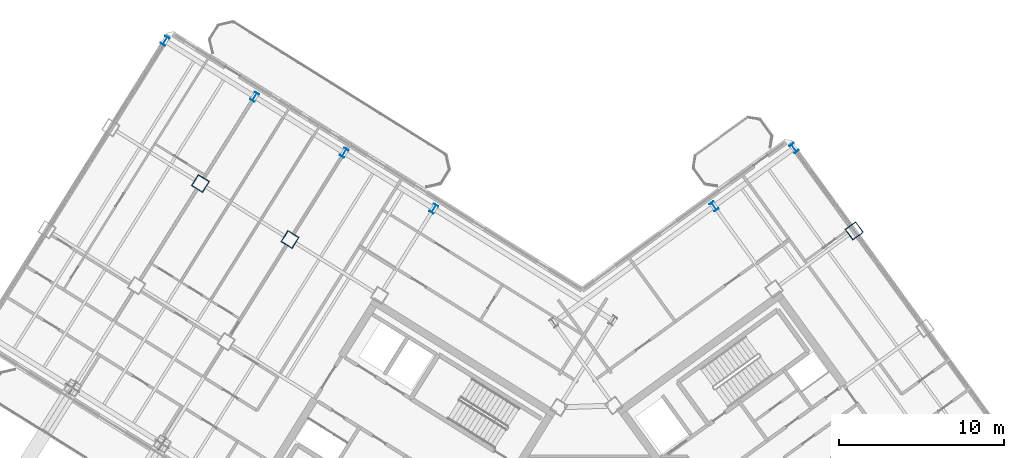
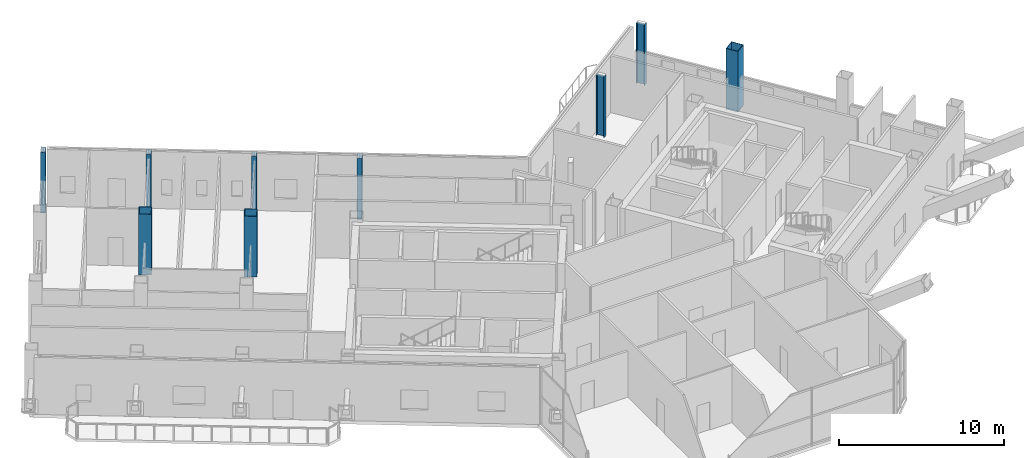
# One storey, part 3 of 34: 9 columns.
"""IFC4 building model written with IfcOpenShell, lengths in metres."""

from ifc_helpers import new_model, si_unit, direction, frame, origin, origin_2d, place, context, subcontext, project, spatial, hollow_rectangle, i_section, extrude, source, transform, mapped, material, material_profile, profile_set, type_object, element, save


model = new_model("IFC4")

# Units and contexts
model_context = context("Model", 3, precision=1e-05, world=origin(), true_north=direction((0.0, 1.0)))
body_context = subcontext(model_context, "Body", "Model", "MODEL_VIEW")
ifc_project = project(units=[si_unit("LENGTHUNIT", "METRE"), si_unit("AREAUNIT", "SQUARE_METRE"), si_unit("VOLUMEUNIT", "CUBIC_METRE"), si_unit("PLANEANGLEUNIT", "RADIAN"), si_unit("MASSUNIT", "GRAM", prefix="KILO")], contexts=[model_context])

# Site, building, storey
site_placement = place(None, origin())
site = spatial("IfcSite", under=ifc_project, at=site_placement, CompositionType="ELEMENT")
building_placement = place(site_placement, origin())
building = spatial("IfcBuilding", under=site, at=building_placement, Name="Tlacorven Tower", CompositionType="ELEMENT")
storey_placement = place(building_placement, frame((0.0, 0.0, 229.199951171875)))
storey = spatial("IfcBuildingStorey", under=building, at=storey_placement, Name="L58", CompositionType="ELEMENT", Elevation=229.199951171875)

# Columns
ifc_material = material(Name="Steel S460M", Category="steel")
ifc_material_profile_1 = material_profile(ifc_material, i_section(OverallWidth=0.300048828125, OverallDepth=0.550048828125, WebThickness=0.014892578125, FlangeThickness=0.029052734375, at=origin_2d()), Name="HEB 550")
ifc_profile_set_1 = profile_set([ifc_material_profile_1], Name="Steel S460M")
column_type_1 = type_object("IfcColumnType", Name="COL-TWR-P2", PredefinedType="COLUMN", material=ifc_profile_set_1)
shared_shape_1 = source(origin(), body_context, "Body", "SweptSolid", [
    extrude(i_section(OverallWidth=0.300048828125, OverallDepth=0.550048828125, WebThickness=0.014892578125, FlangeThickness=0.029052734375, at=origin_2d()), origin(), (0.0, 0.0, 1.0), 4.5),
])
for number, where, z_axis, x_axis, name in (
    (1, (33.21337890625, 36.50927734375, 0.0), (0.0, 0.0, 1.0), (-0.848048096156, 0.529919264233, 0.0), "L58 column COL-L58-W3-1"),
    (2, (27.785888671875, 39.900634765625, 0.0), (0.0, 0.0, 1.0), (-0.848048096156, 0.529919264233, 0.0), "L58 column COL-L58-W4-1"),
    (3, (22.3583984375, 43.292236328125, 0.0), (0.0, 0.0, 1.0), (-0.848048096156, 0.529919264233, 0.0), "L58 column COL-L58-W5-1"),
    (4, (16.930908203125, 46.68359375, 0.0), (0.0, 0.0, 1.0), (-0.848048096156, 0.529919264233, 0.0), "L58 column COL-L58-W6-1"),
    (5, (50.187744140625, 36.654296875, 0.0), (0.0, 0.0, 1.0), (0.809016994375, 0.587785252292, 0.0), "L58 column COL-L58-E3-4"),
    (6, (55.041748046875, 40.18115234375, 0.0), (0.0, 0.0, 1.0), (0.809016994375, 0.587785252292, 0.0), "L58 column COL-L58-E4-4"),
):
    element("IfcColumn", number, at=place(storey_placement, frame(where, z_axis=z_axis, x_axis=x_axis)), inside=storey, type_object=column_type_1, Name=name, PredefinedType="COLUMN", context=body_context, shape_type="MappedRepresentation", body=[
        mapped(shared_shape_1, transform((0.0, 0.0, 0.0), scale=1.0)),
    ])
ifc_material_profile_2 = material_profile(ifc_material, hollow_rectangle(XDim=0.800048828125, YDim=0.800048828125, WallThickness=0.031982421875, at=origin_2d()), Name="BOX 800X800X32")
ifc_profile_set_2 = profile_set([ifc_material_profile_2], Name="Steel S460M")
column_type_2 = type_object("IfcColumnType", Name="COL-TWR-S3", PredefinedType="COLUMN", material=ifc_profile_set_2)
shared_shape_2 = source(origin(), body_context, "Body", "SweptSolid", [
    extrude(hollow_rectangle(XDim=0.800048828125, YDim=0.800048828125, WallThickness=0.031982421875, at=origin_2d()), origin(), (0.0, 0.0, 1.0), 4.5),
])
for number, where, z_axis, x_axis, name in (
    (7, (24.50048828125, 34.642822265625, 0.0), (0.0, 0.0, 1.0), (-0.848048096156, 0.529919264233, 0.0), "L58 column COL-L58-W4-2"),
    (8, (19.072998046875, 38.034423828125, 0.0), (0.0, 0.0, 1.0), (-0.848048096156, 0.529919264233, 0.0), "L58 column COL-L58-W5-2"),
    (9, (58.68603515625, 35.165283203125, 0.0), (0.0, 0.0, 1.0), (0.809016994375, 0.587785252292, 0.0), "L58 column COL-L58-E4-3"),
):
    element("IfcColumn", number, at=place(storey_placement, frame(where, z_axis=z_axis, x_axis=x_axis)), inside=storey, type_object=column_type_2, Name=name, PredefinedType="COLUMN", context=body_context, shape_type="MappedRepresentation", body=[
        mapped(shared_shape_2, transform((0.0, 0.0, 0.0), scale=1.0)),
    ])

save(model, "model.ifc")
